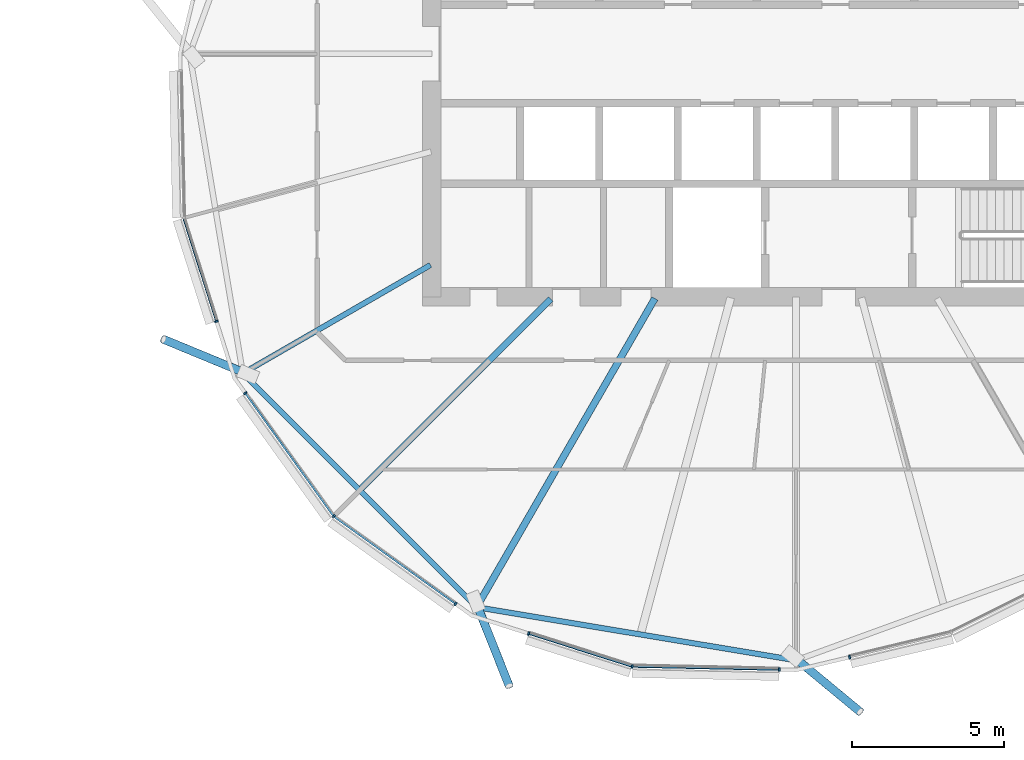
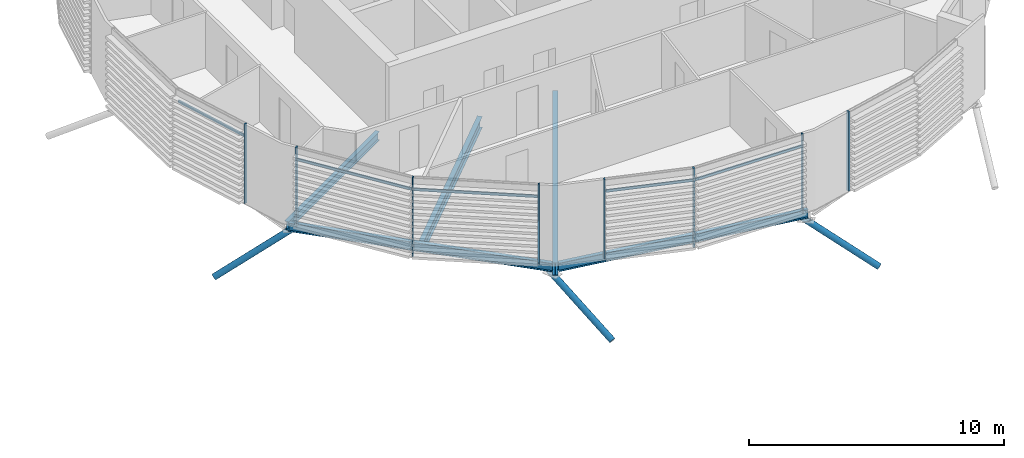
# One storey, part 11 of 36: 16 members, 5 beams, 1 element without a shape of its own.
"""IFC4 building model written with IfcOpenShell, lengths in metres."""

from ifc_helpers import new_model, si_unit, direction, frame, origin, origin_2d, place, context, subcontext, project, spatial, rectangle, hollow_circle, i_section, extrude, clip, halfspace, material, material_profile, profile_set, type_object, element, aggregate, save


model = new_model("IFC4")

# Units and contexts
model_context = context("Model", 3, precision=1e-05, world=origin(), true_north=direction((0.0, 1.0)))
body_context = subcontext(model_context, "Body", "Model", "MODEL_VIEW")
ifc_project = project(units=[si_unit("LENGTHUNIT", "METRE"), si_unit("AREAUNIT", "SQUARE_METRE"), si_unit("VOLUMEUNIT", "CUBIC_METRE"), si_unit("PLANEANGLEUNIT", "RADIAN"), si_unit("MASSUNIT", "GRAM", prefix="KILO")], contexts=[model_context])

# Site, building, storey
site_placement = place(None, origin())
site = spatial("IfcSite", under=ifc_project, at=site_placement, CompositionType="ELEMENT")
building_placement = place(site_placement, origin())
building = spatial("IfcBuilding", under=site, at=building_placement, Name="Rimbun Link Towers", CompositionType="ELEMENT")
storey_placement = place(building_placement, frame((0.0, 0.0, 200.699951171875)))
storey = spatial("IfcBuildingStorey", under=building, at=storey_placement, Name="L49", CompositionType="ELEMENT", Elevation=200.699951171875)

# Curtain wall, members
ifc_material_1 = material(Name="Aluminium 6063-T6 and low-iron glass", Category="aluminium")
curtain_wall_type = type_object("IfcCurtainWallType", Name="CW1-Z3 unitised vision wall (zone 3)", PredefinedType="NOTDEFINED", material=ifc_material_1)
curtain_wall_placement = place(storey_placement, origin())
curtain_wall = element("IfcCurtainWall", 1, at=curtain_wall_placement, inside=storey, type_object=curtain_wall_type, Name="CW1 L49 T2", PredefinedType="NOTDEFINED")
ifc_material_2 = material(Name="Aluminium 6063-T6", Category="aluminium")
ifc_material_profile_1 = material_profile(ifc_material_2, rectangle(XDim=0.1201171875, YDim=0.06005859375, at=origin_2d()), Name="MULLION 60X120")
ifc_profile_set_1 = profile_set([ifc_material_profile_1], Name="Aluminium 6063-T6")
member_type_1 = type_object("IfcMemberType", Name="CW1 mullion 60X120", PredefinedType="MULLION", material=ifc_profile_set_1)
member_1_placement = place(storey_placement, frame((12.653076171875, -8.811279296875, 0.0), z_axis=(0.0, 0.0, 1.0), x_axis=(-0.952967886603, -0.303071290464, 0.0)))
member_1 = element("IfcMember", 2, at=member_1_placement, type_object=member_type_1, Name="CW1 mullion", PredefinedType="MULLION", context=body_context, shape_type="SweptSolid", body=[
    extrude(rectangle(XDim=0.1201171875, YDim=0.06005859375, at=origin_2d()), origin(), (0.0, 0.0, 1.0), 3.800048828125),
])
member_2_placement = place(storey_placement, frame((16.516357421875, -15.233642578125, 0.0), z_axis=(0.0, 0.0, 1.0), x_axis=(-0.707106781187, -0.707106781187, 0.0)))
member_2 = element("IfcMember", 3, at=member_2_placement, type_object=member_type_1, Name="CW1 mullion", PredefinedType="MULLION", context=body_context, shape_type="SweptSolid", body=[
    extrude(rectangle(XDim=0.1201171875, YDim=0.06005859375, at=origin_2d()), origin(), (0.0, 0.0, 1.0), 3.800048828125),
])
member_3_placement = place(storey_placement, frame((13.602294921875, -11.173828125, 0.0), z_axis=(0.0, 0.0, 1.0), x_axis=(-0.81246545613, -0.583009333198, 0.0)))
member_3 = element("IfcMember", 4, at=member_3_placement, type_object=member_type_1, Name="CW1 mullion", PredefinedType="MULLION", context=body_context, shape_type="SweptSolid", body=[
    extrude(rectangle(XDim=0.1201171875, YDim=0.06005859375, at=origin_2d()), origin(), (0.0, 0.0, 1.0), 3.800048828125),
])
member_4_placement = place(storey_placement, frame((20.535400390625, -18.118408203125, 0.0), z_axis=(0.0, 0.0, 1.0), x_axis=(-0.583009333198, -0.81246545613, 0.0)))
member_4 = element("IfcMember", 5, at=member_4_placement, type_object=member_type_1, Name="CW1 mullion", PredefinedType="MULLION", context=body_context, shape_type="SweptSolid", body=[
    extrude(rectangle(XDim=0.1201171875, YDim=0.06005859375, at=origin_2d()), origin(), (0.0, 0.0, 1.0), 3.800048828125),
])
member_5_placement = place(storey_placement, frame((26.3486328125, -20.1806640625, 0.0), z_axis=(0.0, 0.0, 1.0), x_axis=(-0.16374971191, -0.9865019168, 0.0)))
member_5 = element("IfcMember", 6, at=member_5_placement, type_object=member_type_1, Name="CW1 mullion", PredefinedType="MULLION", context=body_context, shape_type="SweptSolid", body=[
    extrude(rectangle(XDim=0.1201171875, YDim=0.06005859375, at=origin_2d()), origin(), (0.0, 0.0, 1.0), 3.800048828125),
])
member_6_placement = place(storey_placement, frame((22.938720703125, -19.096923828125, 0.0), z_axis=(0.0, 0.0, 1.0), x_axis=(-0.303071290464, -0.952967886603, 0.0)))
member_6 = element("IfcMember", 7, at=member_6_placement, type_object=member_type_1, Name="CW1 mullion", PredefinedType="MULLION", context=body_context, shape_type="SweptSolid", body=[
    extrude(rectangle(XDim=0.1201171875, YDim=0.06005859375, at=origin_2d()), origin(), (0.0, 0.0, 1.0), 3.800048828125),
])
member_7_placement = place(storey_placement, frame((31.198974609375, -20.283447265625, 0.0), z_axis=(0.0, 0.0, 1.0), x_axis=(-0.021065527565, -0.999778097154, 0.0)))
member_7 = element("IfcMember", 8, at=member_7_placement, type_object=member_type_1, Name="CW1 mullion", PredefinedType="MULLION", context=body_context, shape_type="SweptSolid", body=[
    extrude(rectangle(XDim=0.1201171875, YDim=0.06005859375, at=origin_2d()), origin(), (0.0, 0.0, 1.0), 3.800048828125),
])
member_8_placement = place(storey_placement, frame((33.5146484375, -19.874755859375, 0.0), z_axis=(0.0, 0.0, 1.0), x_axis=(0.23261560244, -0.972568754126, 0.0)))
member_8 = element("IfcMember", 9, at=member_8_placement, type_object=member_type_1, Name="CW1 mullion", PredefinedType="MULLION", context=body_context, shape_type="SweptSolid", body=[
    extrude(rectangle(XDim=0.1201171875, YDim=0.06005859375, at=origin_2d()), origin(), (0.0, 0.0, 1.0), 3.800048828125),
])
ifc_material_3 = material(Name="Aluminium 6063-T6", Category="aluminium")
ifc_material_profile_2 = material_profile(ifc_material_3, rectangle(XDim=0.06005859375, YDim=0.1201171875, at=origin_2d()), Name="TRANSOM 60X120")
ifc_profile_set_2 = profile_set([ifc_material_profile_2], Name="Aluminium 6063-T6")
member_type_2 = type_object("IfcMemberType", Name="CW1 transom 60X120", PredefinedType="USERDEFINED", material=ifc_profile_set_2)
member_9_placement = place(storey_placement, frame((12.64599609375, -8.781982421875, 3.199951171875), z_axis=(-0.303111767468, 0.952955012801, 0.0), x_axis=(-0.952955012801, -0.303111767468, 0.0)))
member_9 = element("IfcMember", 10, at=member_9_placement, type_object=member_type_2, Name="CW1 transom", ObjectType="TRANSOM", PredefinedType="USERDEFINED", context=body_context, shape_type="SweptSolid", body=[
    extrude(rectangle(XDim=0.06005859375, YDim=0.1201171875, at=origin_2d()), origin(), (0.0, 0.0, 1.0), 3.50927734375),
])
member_10_placement = place(storey_placement, frame((16.494384765625, -15.200439453125, 3.199951171875), z_axis=(-0.583013116195, 0.812462741512, 0.0), x_axis=(-0.812462741512, -0.583013116195, 0.0)))
member_10 = element("IfcMember", 11, at=member_10_placement, type_object=member_type_2, Name="CW1 transom", ObjectType="TRANSOM", PredefinedType="USERDEFINED", context=body_context, shape_type="SweptSolid", body=[
    extrude(rectangle(XDim=0.06005859375, YDim=0.1201171875, at=origin_2d()), origin(), (0.0, 0.0, 1.0), 4.927490234375),
])
member_11_placement = place(storey_placement, frame((20.51220703125, -18.099365234375, 3.199951171875), z_axis=(-0.812442893162, 0.583040775032, 0.0), x_axis=(-0.583040775032, -0.812442893162, 0.0)))
member_11 = element("IfcMember", 12, at=member_11_placement, type_object=member_type_2, Name="CW1 transom", ObjectType="TRANSOM", PredefinedType="USERDEFINED", context=body_context, shape_type="SweptSolid", body=[
    extrude(rectangle(XDim=0.06005859375, YDim=0.1201171875, at=origin_2d()), origin(), (0.0, 0.0, 1.0), 4.87744140625),
])
member_12_placement = place(storey_placement, frame((26.312255859375, -20.167724609375, 3.199951171875), z_axis=(-0.952955012801, 0.303111767468, 0.0), x_axis=(-0.303111767468, -0.952955012801, 0.0)))
member_12 = element("IfcMember", 13, at=member_12_placement, type_object=member_type_2, Name="CW1 transom", ObjectType="TRANSOM", PredefinedType="USERDEFINED", context=body_context, shape_type="SweptSolid", body=[
    extrude(rectangle(XDim=0.06005859375, YDim=0.1201171875, at=origin_2d()), origin(), (0.0, 0.0, 1.0), 3.50927734375),
])
member_13_placement = place(storey_placement, frame((31.1689453125, -20.28076171875, 3.199951171875), z_axis=(-0.999778828666, 0.021030781038, 0.0), x_axis=(-0.021030781038, -0.999778828666, 0.0)))
member_13 = element("IfcMember", 14, at=member_13_placement, type_object=member_type_2, Name="CW1 transom", ObjectType="TRANSOM", PredefinedType="USERDEFINED", context=body_context, shape_type="SweptSolid", body=[
    extrude(rectangle(XDim=0.06005859375, YDim=0.1201171875, at=origin_2d()), origin(), (0.0, 0.0, 1.0), 4.78271484375),
])
aggregate(curtain_wall, [member_1, member_2, member_3, member_4, member_5, member_6, member_7, member_8, member_9, member_10, member_11, member_12, member_13])

# Members
ifc_material_4 = material(Name="Steel S355J2H", Category="steel")
ifc_material_profile_3 = material_profile(ifc_material_4, hollow_circle(Radius=0.136474609375, WallThickness=0.012451171875, at=origin_2d()), Name="CHS 273x12.5")
ifc_profile_set_3 = profile_set([ifc_material_profile_3], Name="Steel S355J2H")
member_type_3 = type_object("IfcMemberType", Name="Floor edge link CHS 273x12.5", PredefinedType="BRACE", material=ifc_profile_set_3)
member_14_placement = place(storey_placement, frame((13.566162109375, -10.498291015625, -0.670654296875), z_axis=(-0.773020913809, 0.318994157434, -0.548344229783), x_axis=(-0.381456647235, -0.924386729827, 0.0)))
element("IfcMember", 15, at=member_14_placement, inside=storey, type_object=member_type_3, Name="Floor edge link T2 L49 11", PredefinedType="BRACE", context=body_context, shape_type="Clipping", body=[
    clip(extrude(hollow_circle(Radius=0.136474609375, WallThickness=0.012451171875, at=origin_2d()), frame((0.0, 0.0, -0.4345703125)), (0.0, 0.0, 1.0), 3.882568359375), halfspace(frame((0.0, 0.0, -0.204833984375), z_axis=(0.0, 0.836252716387, -0.548344229783)), False)),
])
member_15_placement = place(storey_placement, frame((21.251708984375, -18.183837890625, -0.8681640625), z_axis=(0.312384808712, -0.785965399635, -0.533548612465), x_axis=(0.929290418342, 0.369349859047, 0.0)))
element("IfcMember", 16, at=member_15_placement, inside=storey, type_object=member_type_3, Name="Floor edge link T2 L49 13", PredefinedType="BRACE", context=body_context, shape_type="Clipping", body=[
    clip(extrude(hollow_circle(Radius=0.136474609375, WallThickness=0.012451171875, at=origin_2d()), frame((0.0, 0.0, -0.451416015625)), (0.0, 0.0, 1.0), 3.818359375), halfspace(frame((0.0, 0.0, -0.212890625), z_axis=(0.0, 0.845769400095, -0.533548612465)), False)),
])
member_16_placement = place(storey_placement, frame((31.75, -19.927978515625, -0.866943359375), z_axis=(0.645315989044, -0.533951865343, -0.546317380082), x_axis=(0.637494905239, 0.770454570883, 0.0)))
element("IfcMember", 17, at=member_16_placement, inside=storey, type_object=member_type_3, Name="Floor edge link T2 L49 15", PredefinedType="BRACE", context=body_context, shape_type="Clipping", body=[
    clip(extrude(hollow_circle(Radius=0.136474609375, WallThickness=0.012451171875, at=origin_2d()), frame((0.0, 0.0, -0.43701171875)), (0.0, 0.0, 1.0), 3.71435546875), halfspace(frame((0.0, 0.0, -0.205810546875), z_axis=(0.0, 0.837578247222, -0.546317380082)), False)),
])

# Beams
ifc_material_5 = material(Name="Steel S355J2", Category="steel")
ifc_material_profile_4 = material_profile(ifc_material_5, i_section(OverallWidth=0.177978515625, OverallDepth=0.406494140625, WebThickness=0.0078125, FlangeThickness=0.0126953125, at=origin_2d()), Name="UB 406x178x60")
ifc_profile_set_4 = profile_set([ifc_material_profile_4], Name="Steel S355J2")
beam_type_1 = type_object("IfcBeamType", Name="UB 406x178x60", PredefinedType="BEAM", material=ifc_profile_set_4)
beam_1_placement = place(storey_placement, frame((19.70458984375, -6.954345703125, -0.353271484375), z_axis=(-0.866018129108, -0.500012599898, 0.0), x_axis=(0.500012599898, -0.866018129108, 0.0)))
element("IfcBeam", 18, at=beam_1_placement, inside=storey, type_object=beam_type_1, Name="Radial beam T2 L49 11", PredefinedType="BEAM", context=body_context, shape_type="SweptSolid", body=[
    extrude(i_section(OverallWidth=0.177978515625, OverallDepth=0.406494140625, WebThickness=0.0078125, FlangeThickness=0.0126953125, at=origin_2d()), origin(), (0.0, 0.0, 1.0), 7.137939453125),
])
beam_2_placement = place(storey_placement, frame((13.5888671875, -10.589111328125, -0.353271484375), z_axis=(0.707095354214, -0.707118207975, 0.0), x_axis=(0.707118207975, 0.707095354214, 0.0)))
element("IfcBeam", 19, at=beam_2_placement, inside=storey, type_object=beam_type_1, Name="Edge beam T2 L49 11-13", PredefinedType="BEAM", context=body_context, shape_type="SweptSolid", body=[
    extrude(i_section(OverallWidth=0.177978515625, OverallDepth=0.406494140625, WebThickness=0.0078125, FlangeThickness=0.0126953125, at=origin_2d()), origin(), (0.0, 0.0, 1.0), 10.6826171875),
])
beam_3_placement = place(storey_placement, frame((21.347412109375, -18.247314453125, -0.353271484375), z_axis=(0.986440070616, -0.164121866563, 0.0), x_axis=(0.164121866563, 0.986440070616, 0.0)))
element("IfcBeam", 20, at=beam_3_placement, inside=storey, type_object=beam_type_1, Name="Edge beam T2 L49 13-15", PredefinedType="BEAM", context=body_context, shape_type="SweptSolid", body=[
    extrude(i_section(OverallWidth=0.177978515625, OverallDepth=0.406494140625, WebThickness=0.0078125, FlangeThickness=0.0126953125, at=origin_2d()), origin(), (0.0, 0.0, 1.0), 10.42919921875),
])
ifc_material_6 = material(Name="Steel S355J2", Category="steel")
ifc_material_profile_5 = material_profile(ifc_material_6, i_section(OverallWidth=0.209228515625, OverallDepth=0.533203125, WebThickness=0.010009765625, FlangeThickness=0.015625, at=origin_2d()), Name="UB 533x210x92")
ifc_profile_set_5 = profile_set([ifc_material_profile_5], Name="Steel S355J2")
beam_type_2 = type_object("IfcBeamType", Name="UB 533x210x92", PredefinedType="BEAM", material=ifc_profile_set_5)
beam_4_placement = place(storey_placement, frame((23.67529296875, -8.07470703125, -0.41650390625), z_axis=(-0.707106781187, -0.707106781187, 0.0), x_axis=(0.707106781187, -0.707106781187, 0.0)))
element("IfcBeam", 21, at=beam_4_placement, inside=storey, type_object=beam_type_2, Name="Radial beam T2 L49 12", PredefinedType="BEAM", context=body_context, shape_type="SweptSolid", body=[
    extrude(i_section(OverallWidth=0.209228515625, OverallDepth=0.533203125, WebThickness=0.010009765625, FlangeThickness=0.015625, at=origin_2d()), origin(), (0.0, 0.0, 1.0), 8.820068359375),
])
ifc_material_7 = material(Name="Steel S355J2", Category="steel")
ifc_material_profile_6 = material_profile(ifc_material_7, i_section(OverallWidth=0.2275390625, OverallDepth=0.6025390625, WebThickness=0.010498046875, FlangeThickness=0.014892578125, at=origin_2d()), Name="UB 610x229x101")
ifc_profile_set_6 = profile_set([ifc_material_profile_6], Name="Steel S355J2")
beam_type_3 = type_object("IfcBeamType", Name="UB 610x229x101", PredefinedType="BEAM", material=ifc_profile_set_6)
beam_5_placement = place(storey_placement, frame((27.097900390625, -8.057861328125, -0.451171875), z_axis=(-0.500009811963, -0.866019738771, 0.0), x_axis=(0.866019738771, -0.500009811963, 0.0)))
element("IfcBeam", 22, at=beam_5_placement, inside=storey, type_object=beam_type_3, Name="Radial beam T2 L49 13", PredefinedType="BEAM", context=body_context, shape_type="SweptSolid", body=[
    extrude(i_section(OverallWidth=0.2275390625, OverallDepth=0.6025390625, WebThickness=0.010498046875, FlangeThickness=0.014892578125, at=origin_2d()), origin(), (0.0, 0.0, 1.0), 11.742431640625),
])

save(model, "model.ifc")
